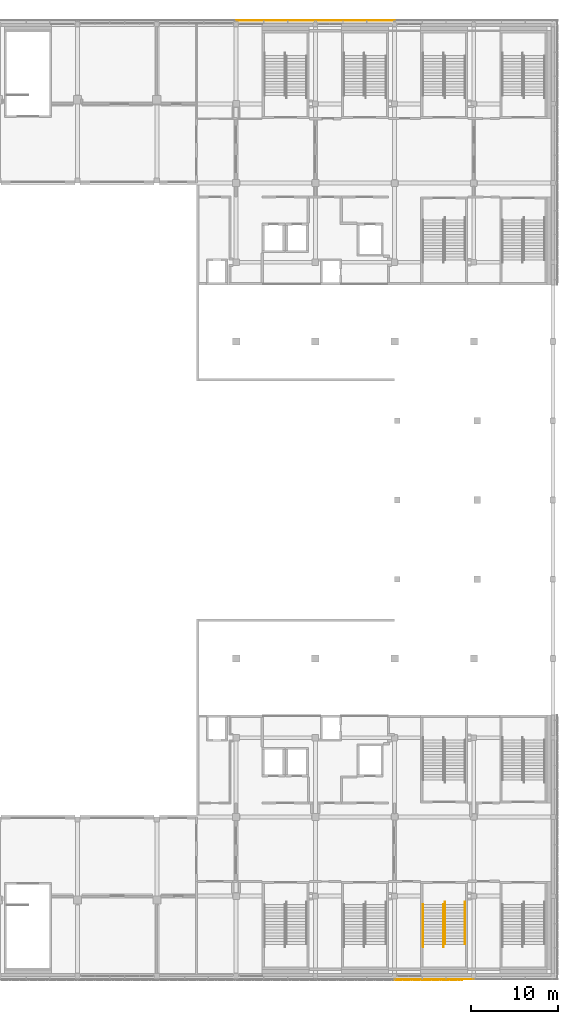
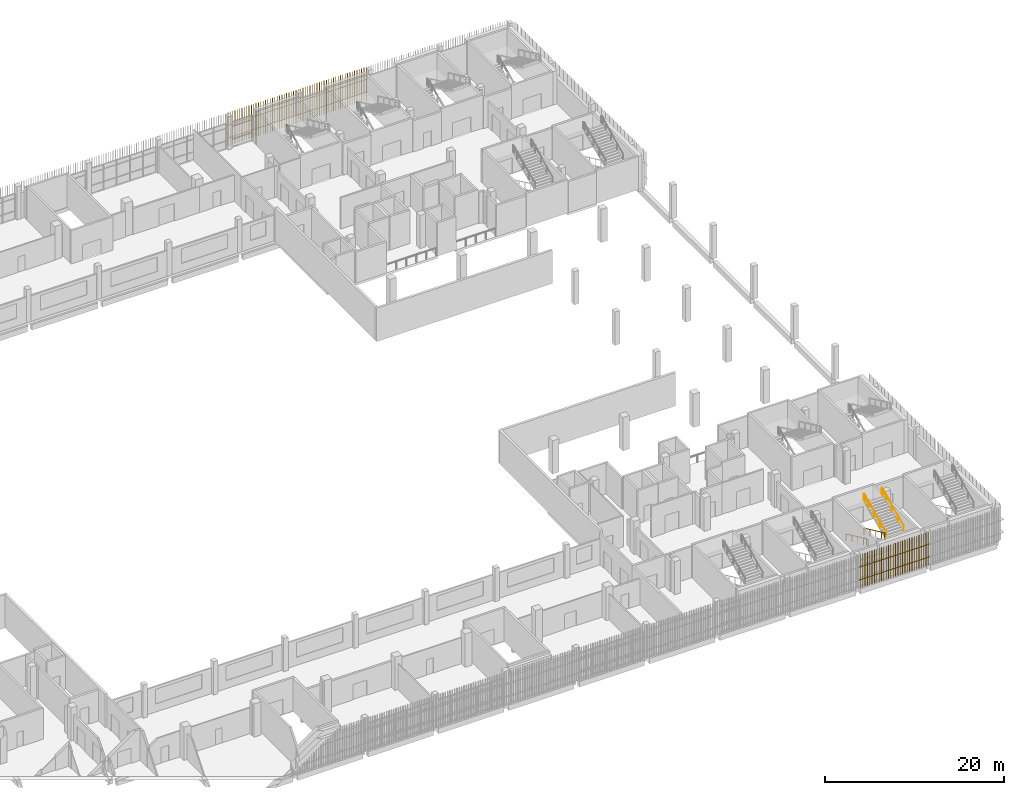
# One storey, part 99 of 104: 4 railings, 3 shading devices.
"""IFC4 building model written with IfcOpenShell, lengths in metres."""

from ifc_helpers import new_model, si_unit, direction, frame, origin, origin_2d, place, context, subcontext, project, spatial, rectangle, circle, extrude, material, type_object, element, save


model = new_model("IFC4")

# Units and contexts
model_context = context("Model", 3, precision=1e-05, world=origin(), true_north=direction((0.0, 1.0)))
body_context = subcontext(model_context, "Body", "Model", "MODEL_VIEW")
ifc_project = project(units=[si_unit("LENGTHUNIT", "METRE"), si_unit("AREAUNIT", "SQUARE_METRE"), si_unit("VOLUMEUNIT", "CUBIC_METRE"), si_unit("PLANEANGLEUNIT", "RADIAN"), si_unit("MASSUNIT", "GRAM", prefix="KILO")], contexts=[model_context])

# Site, building, storey
site_placement = place(None, origin())
site = spatial("IfcSite", under=ifc_project, at=site_placement, CompositionType="ELEMENT")
building_placement = place(site_placement, origin())
building = spatial("IfcBuilding", under=site, at=building_placement, Name="Shirokan Park Arena", CompositionType="ELEMENT")
storey_placement = place(building_placement, frame((0.0, 0.0, 10.919921875)))
storey = spatial("IfcBuildingStorey", under=building, at=storey_placement, Name="L02", CompositionType="ELEMENT", Elevation=10.919921875)

# Railings
ifc_material_1 = material(Name="Stainless steel", Category="steel")
railing_type = type_object("IfcRailingType", Name="Stair handrail 900", PredefinedType="HANDRAIL", material=ifc_material_1)
railing_1_placement = place(storey_placement, frame((130.68994140625, 8.14990234375, 0.15185546875)))
element("IfcRailing", 1, at=railing_1_placement, inside=storey, type_object=railing_type, Name="Handrail Exit Stair 2.B L02 to L03", PredefinedType="HANDRAIL", context=body_context, shape_type="SweptSolid", body=[
    extrude(circle(Radius=0.02392578125, at=origin_2d()), frame((0.0, 0.0, 0.8759765625), z_axis=(0.0, -0.907064445915, 0.420991794405), x_axis=(1.0, 0.0, 0.0)), (0.0, 0.0, 1.0), 1.4404296875),
    extrude(circle(Radius=0.02392578125, at=origin_2d()), frame((0.0, -1.306640625, 1.482421875), z_axis=(0.0, -0.907029769225, 0.421066500378), x_axis=(1.0, 0.0, 0.0)), (0.0, 0.0, 1.0), 1.44091796875),
    extrude(circle(Radius=0.02392578125, at=origin_2d()), frame((0.0, -2.613525390625, 2.0888671875), z_axis=(0.0, -0.907029769225, 0.421066500378), x_axis=(1.0, 0.0, 0.0)), (0.0, 0.0, 1.0), 1.44091796875),
    extrude(circle(Radius=0.02392578125, at=origin_2d()), frame((0.0, -3.92041015625, 2.69580078125), z_axis=(0.0, -0.906934982928, 0.421270621741), x_axis=(1.0, 0.0, 0.0)), (0.0, 0.0, 1.0), 0.720458984375),
    extrude(circle(Radius=0.02392578125, at=origin_2d()), frame((0.0, -4.57373046875, 2.9990234375), z_axis=(0.0, -1.0, 0.0), x_axis=(1.0, 0.0, 0.0)), (0.0, 0.0, 1.0), 0.300048828125),
    extrude(circle(Radius=0.02099609375, at=origin_2d()), origin(), (0.0, 0.0, 1.0), 0.851806640625),
    extrude(circle(Radius=0.02099609375, at=origin_2d()), frame((0.0, -1.306640625, 0.6064453125)), (0.0, 0.0, 1.0), 0.851806640625),
    extrude(circle(Radius=0.02099609375, at=origin_2d()), frame((0.0, -2.613525390625, 1.213134765625)), (0.0, 0.0, 1.0), 0.851806640625),
    extrude(circle(Radius=0.02099609375, at=origin_2d()), frame((0.0, -3.92041015625, 1.81982421875)), (0.0, 0.0, 1.0), 0.851806640625),
    extrude(circle(Radius=0.02099609375, at=origin_2d()), frame((0.0, -4.57373046875, 2.123291015625)), (0.0, 0.0, 1.0), 0.851806640625),
    extrude(circle(Radius=0.02099609375, at=origin_2d()), frame((0.0, -4.873779296875, 2.123291015625)), (0.0, 0.0, 1.0), 0.851806640625),
])
railing_2_placement = place(storey_placement, frame((133.010009765625, 8.14990234375, 0.15185546875)))
element("IfcRailing", 2, at=railing_2_placement, inside=storey, type_object=railing_type, Name="Handrail Exit Stair 2.B L02 to L03", PredefinedType="HANDRAIL", context=body_context, shape_type="SweptSolid", body=[
    extrude(circle(Radius=0.02392578125, at=origin_2d()), frame((0.0, 0.0, 0.8759765625), z_axis=(0.0, -0.907064445915, 0.420991794405), x_axis=(1.0, 0.0, 0.0)), (0.0, 0.0, 1.0), 1.4404296875),
    extrude(circle(Radius=0.02392578125, at=origin_2d()), frame((0.0, -1.306640625, 1.482421875), z_axis=(0.0, -0.907029769225, 0.421066500378), x_axis=(1.0, 0.0, 0.0)), (0.0, 0.0, 1.0), 1.44091796875),
    extrude(circle(Radius=0.02392578125, at=origin_2d()), frame((0.0, -2.613525390625, 2.0888671875), z_axis=(0.0, -0.907029769225, 0.421066500378), x_axis=(1.0, 0.0, 0.0)), (0.0, 0.0, 1.0), 1.44091796875),
    extrude(circle(Radius=0.02392578125, at=origin_2d()), frame((0.0, -3.92041015625, 2.69580078125), z_axis=(0.0, -0.906934982928, 0.421270621741), x_axis=(1.0, 0.0, 0.0)), (0.0, 0.0, 1.0), 0.720458984375),
    extrude(circle(Radius=0.02392578125, at=origin_2d()), frame((0.0, -4.57373046875, 2.9990234375), z_axis=(0.0, -1.0, 0.0), x_axis=(1.0, 0.0, 0.0)), (0.0, 0.0, 1.0), 0.300048828125),
    extrude(circle(Radius=0.02099609375, at=origin_2d()), origin(), (0.0, 0.0, 1.0), 0.851806640625),
    extrude(circle(Radius=0.02099609375, at=origin_2d()), frame((0.0, -1.306640625, 0.6064453125)), (0.0, 0.0, 1.0), 0.851806640625),
    extrude(circle(Radius=0.02099609375, at=origin_2d()), frame((0.0, -2.613525390625, 1.213134765625)), (0.0, 0.0, 1.0), 0.851806640625),
    extrude(circle(Radius=0.02099609375, at=origin_2d()), frame((0.0, -3.92041015625, 1.81982421875)), (0.0, 0.0, 1.0), 0.851806640625),
    extrude(circle(Radius=0.02099609375, at=origin_2d()), frame((0.0, -4.57373046875, 2.123291015625)), (0.0, 0.0, 1.0), 0.851806640625),
    extrude(circle(Radius=0.02099609375, at=origin_2d()), frame((0.0, -4.873779296875, 2.123291015625)), (0.0, 0.0, 1.0), 0.851806640625),
])
railing_3_placement = place(storey_placement, frame((133.18994140625, 3.576171875, 2.4267578125)))
element("IfcRailing", 3, at=railing_3_placement, inside=storey, type_object=railing_type, Name="Handrail Exit Stair 2.B L02 to L03", PredefinedType="HANDRAIL", context=body_context, shape_type="SweptSolid", body=[
    extrude(circle(Radius=0.02392578125, at=origin_2d()), frame((0.0, 0.0, 0.8759765625), z_axis=(0.0, 0.907029769225, 0.421066500378), x_axis=(-1.0, 0.0, 0.0)), (0.0, 0.0, 1.0), 1.44091796875),
    extrude(circle(Radius=0.02392578125, at=origin_2d()), frame((0.0, 1.306884765625, 1.482421875), z_axis=(0.0, 0.906999720516, 0.421131222998), x_axis=(-1.0, 0.0, 0.0)), (0.0, 0.0, 1.0), 1.440673828125),
    extrude(circle(Radius=0.02392578125, at=origin_2d()), frame((0.0, 2.613525390625, 2.08935546875), z_axis=(0.0, 0.907029769225, 0.421066500378), x_axis=(-1.0, 0.0, 0.0)), (0.0, 0.0, 1.0), 1.44091796875),
    extrude(circle(Radius=0.02392578125, at=origin_2d()), frame((0.0, 3.92041015625, 2.69580078125), z_axis=(0.0, 0.907064445915, 0.420991794405), x_axis=(-1.0, 0.0, 0.0)), (0.0, 0.0, 1.0), 0.72021484375),
    extrude(circle(Radius=0.02392578125, at=origin_2d()), frame((0.0, 4.57373046875, 2.9990234375), z_axis=(0.0, 1.0, 0.0), x_axis=(-1.0, 0.0, 0.0)), (0.0, 0.0, 1.0), 0.300048828125),
    extrude(circle(Radius=0.02099609375, at=origin_2d()), origin(), (0.0, 0.0, 1.0), 0.851806640625),
    extrude(circle(Radius=0.02099609375, at=origin_2d()), frame((0.0, 1.306884765625, 0.606689453125)), (0.0, 0.0, 1.0), 0.851806640625),
    extrude(circle(Radius=0.02099609375, at=origin_2d()), frame((0.0, 2.613525390625, 1.21337890625)), (0.0, 0.0, 1.0), 0.851806640625),
    extrude(circle(Radius=0.02099609375, at=origin_2d()), frame((0.0, 3.92041015625, 1.820068359375)), (0.0, 0.0, 1.0), 0.851806640625),
    extrude(circle(Radius=0.02099609375, at=origin_2d()), frame((0.0, 4.57373046875, 2.123291015625)), (0.0, 0.0, 1.0), 0.851806640625),
    extrude(circle(Radius=0.02099609375, at=origin_2d()), frame((0.0, 4.873779296875, 2.123291015625)), (0.0, 0.0, 1.0), 0.851806640625),
])
railing_4_placement = place(storey_placement, frame((135.510009765625, 3.576171875, 2.4267578125)))
element("IfcRailing", 4, at=railing_4_placement, inside=storey, type_object=railing_type, Name="Handrail Exit Stair 2.B L02 to L03", PredefinedType="HANDRAIL", context=body_context, shape_type="SweptSolid", body=[
    extrude(circle(Radius=0.02392578125, at=origin_2d()), frame((0.0, 0.0, 0.8759765625), z_axis=(0.0, 0.907029769225, 0.421066500378), x_axis=(-1.0, 0.0, 0.0)), (0.0, 0.0, 1.0), 1.44091796875),
    extrude(circle(Radius=0.02392578125, at=origin_2d()), frame((0.0, 1.306884765625, 1.482421875), z_axis=(0.0, 0.906999720516, 0.421131222998), x_axis=(-1.0, 0.0, 0.0)), (0.0, 0.0, 1.0), 1.440673828125),
    extrude(circle(Radius=0.02392578125, at=origin_2d()), frame((0.0, 2.613525390625, 2.08935546875), z_axis=(0.0, 0.907029769225, 0.421066500378), x_axis=(-1.0, 0.0, 0.0)), (0.0, 0.0, 1.0), 1.44091796875),
    extrude(circle(Radius=0.02392578125, at=origin_2d()), frame((0.0, 3.92041015625, 2.69580078125), z_axis=(0.0, 0.907064445915, 0.420991794405), x_axis=(-1.0, 0.0, 0.0)), (0.0, 0.0, 1.0), 0.72021484375),
    extrude(circle(Radius=0.02392578125, at=origin_2d()), frame((0.0, 4.57373046875, 2.9990234375), z_axis=(0.0, 1.0, 0.0), x_axis=(-1.0, 0.0, 0.0)), (0.0, 0.0, 1.0), 0.300048828125),
    extrude(circle(Radius=0.02099609375, at=origin_2d()), origin(), (0.0, 0.0, 1.0), 0.851806640625),
    extrude(circle(Radius=0.02099609375, at=origin_2d()), frame((0.0, 1.306884765625, 0.606689453125)), (0.0, 0.0, 1.0), 0.851806640625),
    extrude(circle(Radius=0.02099609375, at=origin_2d()), frame((0.0, 2.613525390625, 1.21337890625)), (0.0, 0.0, 1.0), 0.851806640625),
    extrude(circle(Radius=0.02099609375, at=origin_2d()), frame((0.0, 3.92041015625, 1.820068359375)), (0.0, 0.0, 1.0), 0.851806640625),
    extrude(circle(Radius=0.02099609375, at=origin_2d()), frame((0.0, 4.57373046875, 2.123291015625)), (0.0, 0.0, 1.0), 0.851806640625),
    extrude(circle(Radius=0.02099609375, at=origin_2d()), frame((0.0, 4.873779296875, 2.123291015625)), (0.0, 0.0, 1.0), 0.851806640625),
])

# Shading devices
ifc_material_2 = material(Name="Timber louvre veil (cedar)", Category="wood")
shading_device_type = type_object("IfcShadingDeviceType", Name="Timber louvre veil panel", PredefinedType="JALOUSIE", material=ifc_material_2)
shading_device_1_placement = place(storey_placement, origin())
element("IfcShadingDevice", 5, at=shading_device_1_placement, inside=storey, type_object=shading_device_type, Name="Timber louvre veil south bay 15 L02", PredefinedType="JALOUSIE", context=body_context, shape_type="SweptSolid", body=[
    extrude(rectangle(XDim=0.050048828125, YDim=0.080078125, at=origin_2d()), frame((127.5517578125, -0.485107421875, 0.0), z_axis=(0.0, 0.0, 1.0), x_axis=(1.0, 0.0, 0.0)), (0.0, 0.0, 1.0), 4.550048828125),
    extrude(rectangle(XDim=0.050048828125, YDim=0.080078125, at=origin_2d()), frame((127.85498046875, -0.485107421875, 0.0), z_axis=(0.0, 0.0, 1.0), x_axis=(1.0, 0.0, 0.0)), (0.0, 0.0, 1.0), 4.550048828125),
    extrude(rectangle(XDim=0.050048828125, YDim=0.080078125, at=origin_2d()), frame((128.158447265625, -0.485107421875, 0.0), z_axis=(0.0, 0.0, 1.0), x_axis=(1.0, 0.0, 0.0)), (0.0, 0.0, 1.0), 4.550048828125),
    extrude(rectangle(XDim=0.050048828125, YDim=0.080078125, at=origin_2d()), frame((128.461669921875, -0.485107421875, 0.0), z_axis=(0.0, 0.0, 1.0), x_axis=(1.0, 0.0, 0.0)), (0.0, 0.0, 1.0), 4.550048828125),
    extrude(rectangle(XDim=0.050048828125, YDim=0.080078125, at=origin_2d()), frame((128.764892578125, -0.485107421875, 0.0), z_axis=(0.0, 0.0, 1.0), x_axis=(1.0, 0.0, 0.0)), (0.0, 0.0, 1.0), 4.550048828125),
    extrude(rectangle(XDim=0.050048828125, YDim=0.080078125, at=origin_2d()), frame((129.068359375, -0.485107421875, 0.0), z_axis=(0.0, 0.0, 1.0), x_axis=(1.0, 0.0, 0.0)), (0.0, 0.0, 1.0), 4.550048828125),
    extrude(rectangle(XDim=0.050048828125, YDim=0.080078125, at=origin_2d()), frame((129.37158203125, -0.485107421875, 0.0), z_axis=(0.0, 0.0, 1.0), x_axis=(1.0, 0.0, 0.0)), (0.0, 0.0, 1.0), 4.550048828125),
    extrude(rectangle(XDim=0.050048828125, YDim=0.080078125, at=origin_2d()), frame((129.675048828125, -0.485107421875, 0.0), z_axis=(0.0, 0.0, 1.0), x_axis=(1.0, 0.0, 0.0)), (0.0, 0.0, 1.0), 4.550048828125),
    extrude(rectangle(XDim=0.050048828125, YDim=0.080078125, at=origin_2d()), frame((129.978271484375, -0.485107421875, 0.0), z_axis=(0.0, 0.0, 1.0), x_axis=(1.0, 0.0, 0.0)), (0.0, 0.0, 1.0), 4.550048828125),
    extrude(rectangle(XDim=0.050048828125, YDim=0.080078125, at=origin_2d()), frame((130.28173828125, -0.485107421875, 0.0), z_axis=(0.0, 0.0, 1.0), x_axis=(1.0, 0.0, 0.0)), (0.0, 0.0, 1.0), 4.550048828125),
    extrude(rectangle(XDim=0.050048828125, YDim=0.080078125, at=origin_2d()), frame((130.5849609375, -0.485107421875, 0.0), z_axis=(0.0, 0.0, 1.0), x_axis=(1.0, 0.0, 0.0)), (0.0, 0.0, 1.0), 4.550048828125),
    extrude(rectangle(XDim=0.050048828125, YDim=0.080078125, at=origin_2d()), frame((130.888427734375, -0.485107421875, 0.0), z_axis=(0.0, 0.0, 1.0), x_axis=(1.0, 0.0, 0.0)), (0.0, 0.0, 1.0), 4.550048828125),
    extrude(rectangle(XDim=0.050048828125, YDim=0.080078125, at=origin_2d()), frame((131.191650390625, -0.485107421875, 0.0), z_axis=(0.0, 0.0, 1.0), x_axis=(1.0, 0.0, 0.0)), (0.0, 0.0, 1.0), 4.550048828125),
    extrude(rectangle(XDim=0.050048828125, YDim=0.080078125, at=origin_2d()), frame((131.4951171875, -0.485107421875, 0.0), z_axis=(0.0, 0.0, 1.0), x_axis=(1.0, 0.0, 0.0)), (0.0, 0.0, 1.0), 4.550048828125),
    extrude(rectangle(XDim=0.050048828125, YDim=0.080078125, at=origin_2d()), frame((131.79833984375, -0.485107421875, 0.0), z_axis=(0.0, 0.0, 1.0), x_axis=(1.0, 0.0, 0.0)), (0.0, 0.0, 1.0), 4.550048828125),
    extrude(rectangle(XDim=0.050048828125, YDim=0.080078125, at=origin_2d()), frame((132.1015625, -0.485107421875, 0.0), z_axis=(0.0, 0.0, 1.0), x_axis=(1.0, 0.0, 0.0)), (0.0, 0.0, 1.0), 4.550048828125),
    extrude(rectangle(XDim=0.050048828125, YDim=0.080078125, at=origin_2d()), frame((132.405029296875, -0.485107421875, 0.0), z_axis=(0.0, 0.0, 1.0), x_axis=(1.0, 0.0, 0.0)), (0.0, 0.0, 1.0), 4.550048828125),
    extrude(rectangle(XDim=0.050048828125, YDim=0.080078125, at=origin_2d()), frame((132.708251953125, -0.485107421875, 0.0), z_axis=(0.0, 0.0, 1.0), x_axis=(1.0, 0.0, 0.0)), (0.0, 0.0, 1.0), 4.550048828125),
    extrude(rectangle(XDim=0.050048828125, YDim=0.080078125, at=origin_2d()), frame((133.01171875, -0.485107421875, 0.0), z_axis=(0.0, 0.0, 1.0), x_axis=(1.0, 0.0, 0.0)), (0.0, 0.0, 1.0), 4.550048828125),
    extrude(rectangle(XDim=0.050048828125, YDim=0.080078125, at=origin_2d()), frame((133.31494140625, -0.485107421875, 0.0), z_axis=(0.0, 0.0, 1.0), x_axis=(1.0, 0.0, 0.0)), (0.0, 0.0, 1.0), 4.550048828125),
    extrude(rectangle(XDim=0.050048828125, YDim=0.080078125, at=origin_2d()), frame((133.618408203125, -0.485107421875, 0.0), z_axis=(0.0, 0.0, 1.0), x_axis=(1.0, 0.0, 0.0)), (0.0, 0.0, 1.0), 4.550048828125),
    extrude(rectangle(XDim=0.050048828125, YDim=0.080078125, at=origin_2d()), frame((133.921630859375, -0.485107421875, 0.0), z_axis=(0.0, 0.0, 1.0), x_axis=(1.0, 0.0, 0.0)), (0.0, 0.0, 1.0), 4.550048828125),
    extrude(rectangle(XDim=0.050048828125, YDim=0.080078125, at=origin_2d()), frame((134.22509765625, -0.485107421875, 0.0), z_axis=(0.0, 0.0, 1.0), x_axis=(1.0, 0.0, 0.0)), (0.0, 0.0, 1.0), 4.550048828125),
    extrude(rectangle(XDim=0.050048828125, YDim=0.080078125, at=origin_2d()), frame((134.5283203125, -0.485107421875, 0.0), z_axis=(0.0, 0.0, 1.0), x_axis=(1.0, 0.0, 0.0)), (0.0, 0.0, 1.0), 4.550048828125),
    extrude(rectangle(XDim=0.050048828125, YDim=0.080078125, at=origin_2d()), frame((134.831787109375, -0.485107421875, 0.0), z_axis=(0.0, 0.0, 1.0), x_axis=(1.0, 0.0, 0.0)), (0.0, 0.0, 1.0), 4.550048828125),
    extrude(rectangle(XDim=0.050048828125, YDim=0.080078125, at=origin_2d()), frame((135.135009765625, -0.485107421875, 0.0), z_axis=(0.0, 0.0, 1.0), x_axis=(1.0, 0.0, 0.0)), (0.0, 0.0, 1.0), 4.550048828125),
    extrude(rectangle(XDim=0.050048828125, YDim=0.080078125, at=origin_2d()), frame((135.438232421875, -0.485107421875, 0.0), z_axis=(0.0, 0.0, 1.0), x_axis=(1.0, 0.0, 0.0)), (0.0, 0.0, 1.0), 4.550048828125),
    extrude(rectangle(XDim=0.050048828125, YDim=0.080078125, at=origin_2d()), frame((135.74169921875, -0.485107421875, 0.0), z_axis=(0.0, 0.0, 1.0), x_axis=(1.0, 0.0, 0.0)), (0.0, 0.0, 1.0), 4.550048828125),
    extrude(rectangle(XDim=0.050048828125, YDim=0.080078125, at=origin_2d()), frame((136.044921875, -0.485107421875, 0.0), z_axis=(0.0, 0.0, 1.0), x_axis=(1.0, 0.0, 0.0)), (0.0, 0.0, 1.0), 4.550048828125),
    extrude(rectangle(XDim=0.050048828125, YDim=0.080078125, at=origin_2d()), frame((136.348388671875, -0.485107421875, 0.0), z_axis=(0.0, 0.0, 1.0), x_axis=(1.0, 0.0, 0.0)), (0.0, 0.0, 1.0), 4.550048828125),
    extrude(rectangle(XDim=9.10009765625, YDim=0.050048828125, at=origin_2d()), frame((131.949951171875, -0.469970703125, 1.06005859375), z_axis=(0.0, 0.0, 1.0), x_axis=(1.0, 0.0, 0.0)), (0.0, 0.0, 1.0), 0.080078125),
    extrude(rectangle(XDim=9.10009765625, YDim=0.050048828125, at=origin_2d()), frame((131.949951171875, -0.469970703125, 2.81005859375), z_axis=(0.0, 0.0, 1.0), x_axis=(1.0, 0.0, 0.0)), (0.0, 0.0, 1.0), 0.080078125),
])
shading_device_2_placement = place(storey_placement, origin())
element("IfcShadingDevice", 6, at=shading_device_2_placement, inside=storey, type_object=shading_device_type, Name="Timber louvre veil north bay 3 L02", PredefinedType="JALOUSIE", context=body_context, shape_type="SweptSolid", body=[
    extrude(rectangle(XDim=0.050048828125, YDim=0.080078125, at=origin_2d()), frame((127.248291015625, 109.68505859375, 0.0), z_axis=(0.0, 0.0, 1.0), x_axis=(-1.0, 0.0, 0.0)), (0.0, 0.0, 1.0), 4.550048828125),
    extrude(rectangle(XDim=0.050048828125, YDim=0.080078125, at=origin_2d()), frame((126.945068359375, 109.68505859375, 0.0), z_axis=(0.0, 0.0, 1.0), x_axis=(-1.0, 0.0, 0.0)), (0.0, 0.0, 1.0), 4.550048828125),
    extrude(rectangle(XDim=0.050048828125, YDim=0.080078125, at=origin_2d()), frame((126.6416015625, 109.68505859375, 0.0), z_axis=(0.0, 0.0, 1.0), x_axis=(-1.0, 0.0, 0.0)), (0.0, 0.0, 1.0), 4.550048828125),
    extrude(rectangle(XDim=0.050048828125, YDim=0.080078125, at=origin_2d()), frame((126.33837890625, 109.68505859375, 0.0), z_axis=(0.0, 0.0, 1.0), x_axis=(-1.0, 0.0, 0.0)), (0.0, 0.0, 1.0), 4.550048828125),
    extrude(rectangle(XDim=0.050048828125, YDim=0.080078125, at=origin_2d()), frame((126.034912109375, 109.68505859375, 0.0), z_axis=(0.0, 0.0, 1.0), x_axis=(-1.0, 0.0, 0.0)), (0.0, 0.0, 1.0), 4.550048828125),
    extrude(rectangle(XDim=0.050048828125, YDim=0.080078125, at=origin_2d()), frame((125.731689453125, 109.68505859375, 0.0), z_axis=(0.0, 0.0, 1.0), x_axis=(-1.0, 0.0, 0.0)), (0.0, 0.0, 1.0), 4.550048828125),
    extrude(rectangle(XDim=0.050048828125, YDim=0.080078125, at=origin_2d()), frame((125.42822265625, 109.68505859375, 0.0), z_axis=(0.0, 0.0, 1.0), x_axis=(-1.0, 0.0, 0.0)), (0.0, 0.0, 1.0), 4.550048828125),
    extrude(rectangle(XDim=0.050048828125, YDim=0.080078125, at=origin_2d()), frame((125.125, 109.68505859375, 0.0), z_axis=(0.0, 0.0, 1.0), x_axis=(-1.0, 0.0, 0.0)), (0.0, 0.0, 1.0), 4.550048828125),
    extrude(rectangle(XDim=0.050048828125, YDim=0.080078125, at=origin_2d()), frame((124.82177734375, 109.68505859375, 0.0), z_axis=(0.0, 0.0, 1.0), x_axis=(-1.0, 0.0, 0.0)), (0.0, 0.0, 1.0), 4.550048828125),
    extrude(rectangle(XDim=0.050048828125, YDim=0.080078125, at=origin_2d()), frame((124.518310546875, 109.68505859375, 0.0), z_axis=(0.0, 0.0, 1.0), x_axis=(-1.0, 0.0, 0.0)), (0.0, 0.0, 1.0), 4.550048828125),
    extrude(rectangle(XDim=0.050048828125, YDim=0.080078125, at=origin_2d()), frame((124.215087890625, 109.68505859375, 0.0), z_axis=(0.0, 0.0, 1.0), x_axis=(-1.0, 0.0, 0.0)), (0.0, 0.0, 1.0), 4.550048828125),
    extrude(rectangle(XDim=0.050048828125, YDim=0.080078125, at=origin_2d()), frame((123.91162109375, 109.68505859375, 0.0), z_axis=(0.0, 0.0, 1.0), x_axis=(-1.0, 0.0, 0.0)), (0.0, 0.0, 1.0), 4.550048828125),
    extrude(rectangle(XDim=0.050048828125, YDim=0.080078125, at=origin_2d()), frame((123.6083984375, 109.68505859375, 0.0), z_axis=(0.0, 0.0, 1.0), x_axis=(-1.0, 0.0, 0.0)), (0.0, 0.0, 1.0), 4.550048828125),
    extrude(rectangle(XDim=0.050048828125, YDim=0.080078125, at=origin_2d()), frame((123.304931640625, 109.68505859375, 0.0), z_axis=(0.0, 0.0, 1.0), x_axis=(-1.0, 0.0, 0.0)), (0.0, 0.0, 1.0), 4.550048828125),
    extrude(rectangle(XDim=0.050048828125, YDim=0.080078125, at=origin_2d()), frame((123.001708984375, 109.68505859375, 0.0), z_axis=(0.0, 0.0, 1.0), x_axis=(-1.0, 0.0, 0.0)), (0.0, 0.0, 1.0), 4.550048828125),
    extrude(rectangle(XDim=0.050048828125, YDim=0.080078125, at=origin_2d()), frame((122.6982421875, 109.68505859375, 0.0), z_axis=(0.0, 0.0, 1.0), x_axis=(-1.0, 0.0, 0.0)), (0.0, 0.0, 1.0), 4.550048828125),
    extrude(rectangle(XDim=0.050048828125, YDim=0.080078125, at=origin_2d()), frame((122.39501953125, 109.68505859375, 0.0), z_axis=(0.0, 0.0, 1.0), x_axis=(-1.0, 0.0, 0.0)), (0.0, 0.0, 1.0), 4.550048828125),
    extrude(rectangle(XDim=0.050048828125, YDim=0.080078125, at=origin_2d()), frame((122.091552734375, 109.68505859375, 0.0), z_axis=(0.0, 0.0, 1.0), x_axis=(-1.0, 0.0, 0.0)), (0.0, 0.0, 1.0), 4.550048828125),
    extrude(rectangle(XDim=0.050048828125, YDim=0.080078125, at=origin_2d()), frame((121.788330078125, 109.68505859375, 0.0), z_axis=(0.0, 0.0, 1.0), x_axis=(-1.0, 0.0, 0.0)), (0.0, 0.0, 1.0), 4.550048828125),
    extrude(rectangle(XDim=0.050048828125, YDim=0.080078125, at=origin_2d()), frame((121.485107421875, 109.68505859375, 0.0), z_axis=(0.0, 0.0, 1.0), x_axis=(-1.0, 0.0, 0.0)), (0.0, 0.0, 1.0), 4.550048828125),
    extrude(rectangle(XDim=0.050048828125, YDim=0.080078125, at=origin_2d()), frame((121.181640625, 109.68505859375, 0.0), z_axis=(0.0, 0.0, 1.0), x_axis=(-1.0, 0.0, 0.0)), (0.0, 0.0, 1.0), 4.550048828125),
    extrude(rectangle(XDim=0.050048828125, YDim=0.080078125, at=origin_2d()), frame((120.87841796875, 109.68505859375, 0.0), z_axis=(0.0, 0.0, 1.0), x_axis=(-1.0, 0.0, 0.0)), (0.0, 0.0, 1.0), 4.550048828125),
    extrude(rectangle(XDim=0.050048828125, YDim=0.080078125, at=origin_2d()), frame((120.574951171875, 109.68505859375, 0.0), z_axis=(0.0, 0.0, 1.0), x_axis=(-1.0, 0.0, 0.0)), (0.0, 0.0, 1.0), 4.550048828125),
    extrude(rectangle(XDim=0.050048828125, YDim=0.080078125, at=origin_2d()), frame((120.271728515625, 109.68505859375, 0.0), z_axis=(0.0, 0.0, 1.0), x_axis=(-1.0, 0.0, 0.0)), (0.0, 0.0, 1.0), 4.550048828125),
    extrude(rectangle(XDim=0.050048828125, YDim=0.080078125, at=origin_2d()), frame((119.96826171875, 109.68505859375, 0.0), z_axis=(0.0, 0.0, 1.0), x_axis=(-1.0, 0.0, 0.0)), (0.0, 0.0, 1.0), 4.550048828125),
    extrude(rectangle(XDim=0.050048828125, YDim=0.080078125, at=origin_2d()), frame((119.6650390625, 109.68505859375, 0.0), z_axis=(0.0, 0.0, 1.0), x_axis=(-1.0, 0.0, 0.0)), (0.0, 0.0, 1.0), 4.550048828125),
    extrude(rectangle(XDim=0.050048828125, YDim=0.080078125, at=origin_2d()), frame((119.361572265625, 109.68505859375, 0.0), z_axis=(0.0, 0.0, 1.0), x_axis=(-1.0, 0.0, 0.0)), (0.0, 0.0, 1.0), 4.550048828125),
    extrude(rectangle(XDim=0.050048828125, YDim=0.080078125, at=origin_2d()), frame((119.058349609375, 109.68505859375, 0.0), z_axis=(0.0, 0.0, 1.0), x_axis=(-1.0, 0.0, 0.0)), (0.0, 0.0, 1.0), 4.550048828125),
    extrude(rectangle(XDim=0.050048828125, YDim=0.080078125, at=origin_2d()), frame((118.7548828125, 109.68505859375, 0.0), z_axis=(0.0, 0.0, 1.0), x_axis=(-1.0, 0.0, 0.0)), (0.0, 0.0, 1.0), 4.550048828125),
    extrude(rectangle(XDim=0.050048828125, YDim=0.080078125, at=origin_2d()), frame((118.45166015625, 109.68505859375, 0.0), z_axis=(0.0, 0.0, 1.0), x_axis=(-1.0, 0.0, 0.0)), (0.0, 0.0, 1.0), 4.550048828125),
    extrude(rectangle(XDim=9.10009765625, YDim=0.050048828125, at=origin_2d()), frame((122.85009765625, 109.669921875, 1.06005859375), z_axis=(0.0, 0.0, 1.0), x_axis=(-1.0, 0.0, 0.0)), (0.0, 0.0, 1.0), 0.080078125),
    extrude(rectangle(XDim=9.10009765625, YDim=0.050048828125, at=origin_2d()), frame((122.85009765625, 109.669921875, 2.81005859375), z_axis=(0.0, 0.0, 1.0), x_axis=(-1.0, 0.0, 0.0)), (0.0, 0.0, 1.0), 0.080078125),
])
shading_device_3_placement = place(storey_placement, origin())
element("IfcShadingDevice", 7, at=shading_device_3_placement, inside=storey, type_object=shading_device_type, Name="Timber louvre veil north bay 4 L02", PredefinedType="JALOUSIE", context=body_context, shape_type="SweptSolid", body=[
    extrude(rectangle(XDim=0.050048828125, YDim=0.080078125, at=origin_2d()), frame((118.1484375, 109.68505859375, 0.0), z_axis=(0.0, 0.0, 1.0), x_axis=(-1.0, 0.0, 0.0)), (0.0, 0.0, 1.0), 4.550048828125),
    extrude(rectangle(XDim=0.050048828125, YDim=0.080078125, at=origin_2d()), frame((117.844970703125, 109.68505859375, 0.0), z_axis=(0.0, 0.0, 1.0), x_axis=(-1.0, 0.0, 0.0)), (0.0, 0.0, 1.0), 4.550048828125),
    extrude(rectangle(XDim=0.050048828125, YDim=0.080078125, at=origin_2d()), frame((117.541748046875, 109.68505859375, 0.0), z_axis=(0.0, 0.0, 1.0), x_axis=(-1.0, 0.0, 0.0)), (0.0, 0.0, 1.0), 4.550048828125),
    extrude(rectangle(XDim=0.050048828125, YDim=0.080078125, at=origin_2d()), frame((117.23828125, 109.68505859375, 0.0), z_axis=(0.0, 0.0, 1.0), x_axis=(-1.0, 0.0, 0.0)), (0.0, 0.0, 1.0), 4.550048828125),
    extrude(rectangle(XDim=0.050048828125, YDim=0.080078125, at=origin_2d()), frame((116.93505859375, 109.68505859375, 0.0), z_axis=(0.0, 0.0, 1.0), x_axis=(-1.0, 0.0, 0.0)), (0.0, 0.0, 1.0), 4.550048828125),
    extrude(rectangle(XDim=0.050048828125, YDim=0.080078125, at=origin_2d()), frame((116.631591796875, 109.68505859375, 0.0), z_axis=(0.0, 0.0, 1.0), x_axis=(-1.0, 0.0, 0.0)), (0.0, 0.0, 1.0), 4.550048828125),
    extrude(rectangle(XDim=0.050048828125, YDim=0.080078125, at=origin_2d()), frame((116.328369140625, 109.68505859375, 0.0), z_axis=(0.0, 0.0, 1.0), x_axis=(-1.0, 0.0, 0.0)), (0.0, 0.0, 1.0), 4.550048828125),
    extrude(rectangle(XDim=0.050048828125, YDim=0.080078125, at=origin_2d()), frame((116.02490234375, 109.68505859375, 0.0), z_axis=(0.0, 0.0, 1.0), x_axis=(-1.0, 0.0, 0.0)), (0.0, 0.0, 1.0), 4.550048828125),
    extrude(rectangle(XDim=0.050048828125, YDim=0.080078125, at=origin_2d()), frame((115.7216796875, 109.68505859375, 0.0), z_axis=(0.0, 0.0, 1.0), x_axis=(-1.0, 0.0, 0.0)), (0.0, 0.0, 1.0), 4.550048828125),
    extrude(rectangle(XDim=0.050048828125, YDim=0.080078125, at=origin_2d()), frame((115.418212890625, 109.68505859375, 0.0), z_axis=(0.0, 0.0, 1.0), x_axis=(-1.0, 0.0, 0.0)), (0.0, 0.0, 1.0), 4.550048828125),
    extrude(rectangle(XDim=0.050048828125, YDim=0.080078125, at=origin_2d()), frame((115.114990234375, 109.68505859375, 0.0), z_axis=(0.0, 0.0, 1.0), x_axis=(-1.0, 0.0, 0.0)), (0.0, 0.0, 1.0), 4.550048828125),
    extrude(rectangle(XDim=0.050048828125, YDim=0.080078125, at=origin_2d()), frame((114.811767578125, 109.68505859375, 0.0), z_axis=(0.0, 0.0, 1.0), x_axis=(-1.0, 0.0, 0.0)), (0.0, 0.0, 1.0), 4.550048828125),
    extrude(rectangle(XDim=0.050048828125, YDim=0.080078125, at=origin_2d()), frame((114.50830078125, 109.68505859375, 0.0), z_axis=(0.0, 0.0, 1.0), x_axis=(-1.0, 0.0, 0.0)), (0.0, 0.0, 1.0), 4.550048828125),
    extrude(rectangle(XDim=0.050048828125, YDim=0.080078125, at=origin_2d()), frame((114.205078125, 109.68505859375, 0.0), z_axis=(0.0, 0.0, 1.0), x_axis=(-1.0, 0.0, 0.0)), (0.0, 0.0, 1.0), 4.550048828125),
    extrude(rectangle(XDim=0.050048828125, YDim=0.080078125, at=origin_2d()), frame((113.901611328125, 109.68505859375, 0.0), z_axis=(0.0, 0.0, 1.0), x_axis=(-1.0, 0.0, 0.0)), (0.0, 0.0, 1.0), 4.550048828125),
    extrude(rectangle(XDim=0.050048828125, YDim=0.080078125, at=origin_2d()), frame((113.598388671875, 109.68505859375, 0.0), z_axis=(0.0, 0.0, 1.0), x_axis=(-1.0, 0.0, 0.0)), (0.0, 0.0, 1.0), 4.550048828125),
    extrude(rectangle(XDim=0.050048828125, YDim=0.080078125, at=origin_2d()), frame((113.294921875, 109.68505859375, 0.0), z_axis=(0.0, 0.0, 1.0), x_axis=(-1.0, 0.0, 0.0)), (0.0, 0.0, 1.0), 4.550048828125),
    extrude(rectangle(XDim=0.050048828125, YDim=0.080078125, at=origin_2d()), frame((112.99169921875, 109.68505859375, 0.0), z_axis=(0.0, 0.0, 1.0), x_axis=(-1.0, 0.0, 0.0)), (0.0, 0.0, 1.0), 4.550048828125),
    extrude(rectangle(XDim=0.050048828125, YDim=0.080078125, at=origin_2d()), frame((112.688232421875, 109.68505859375, 0.0), z_axis=(0.0, 0.0, 1.0), x_axis=(-1.0, 0.0, 0.0)), (0.0, 0.0, 1.0), 4.550048828125),
    extrude(rectangle(XDim=0.050048828125, YDim=0.080078125, at=origin_2d()), frame((112.385009765625, 109.68505859375, 0.0), z_axis=(0.0, 0.0, 1.0), x_axis=(-1.0, 0.0, 0.0)), (0.0, 0.0, 1.0), 4.550048828125),
    extrude(rectangle(XDim=0.050048828125, YDim=0.080078125, at=origin_2d()), frame((112.081787109375, 109.68505859375, 0.0), z_axis=(0.0, 0.0, 1.0), x_axis=(-1.0, 0.0, 0.0)), (0.0, 0.0, 1.0), 4.550048828125),
    extrude(rectangle(XDim=0.050048828125, YDim=0.080078125, at=origin_2d()), frame((111.7783203125, 109.68505859375, 0.0), z_axis=(0.0, 0.0, 1.0), x_axis=(-1.0, 0.0, 0.0)), (0.0, 0.0, 1.0), 4.550048828125),
    extrude(rectangle(XDim=0.050048828125, YDim=0.080078125, at=origin_2d()), frame((111.47509765625, 109.68505859375, 0.0), z_axis=(0.0, 0.0, 1.0), x_axis=(-1.0, 0.0, 0.0)), (0.0, 0.0, 1.0), 4.550048828125),
    extrude(rectangle(XDim=0.050048828125, YDim=0.080078125, at=origin_2d()), frame((111.171630859375, 109.68505859375, 0.0), z_axis=(0.0, 0.0, 1.0), x_axis=(-1.0, 0.0, 0.0)), (0.0, 0.0, 1.0), 4.550048828125),
    extrude(rectangle(XDim=0.050048828125, YDim=0.080078125, at=origin_2d()), frame((110.868408203125, 109.68505859375, 0.0), z_axis=(0.0, 0.0, 1.0), x_axis=(-1.0, 0.0, 0.0)), (0.0, 0.0, 1.0), 4.550048828125),
    extrude(rectangle(XDim=0.050048828125, YDim=0.080078125, at=origin_2d()), frame((110.56494140625, 109.68505859375, 0.0), z_axis=(0.0, 0.0, 1.0), x_axis=(-1.0, 0.0, 0.0)), (0.0, 0.0, 1.0), 4.550048828125),
    extrude(rectangle(XDim=0.050048828125, YDim=0.080078125, at=origin_2d()), frame((110.26171875, 109.68505859375, 0.0), z_axis=(0.0, 0.0, 1.0), x_axis=(-1.0, 0.0, 0.0)), (0.0, 0.0, 1.0), 4.550048828125),
    extrude(rectangle(XDim=0.050048828125, YDim=0.080078125, at=origin_2d()), frame((109.958251953125, 109.68505859375, 0.0), z_axis=(0.0, 0.0, 1.0), x_axis=(-1.0, 0.0, 0.0)), (0.0, 0.0, 1.0), 4.550048828125),
    extrude(rectangle(XDim=0.050048828125, YDim=0.080078125, at=origin_2d()), frame((109.655029296875, 109.68505859375, 0.0), z_axis=(0.0, 0.0, 1.0), x_axis=(-1.0, 0.0, 0.0)), (0.0, 0.0, 1.0), 4.550048828125),
    extrude(rectangle(XDim=0.050048828125, YDim=0.080078125, at=origin_2d()), frame((109.3515625, 109.68505859375, 0.0), z_axis=(0.0, 0.0, 1.0), x_axis=(-1.0, 0.0, 0.0)), (0.0, 0.0, 1.0), 4.550048828125),
    extrude(rectangle(XDim=9.10009765625, YDim=0.050048828125, at=origin_2d()), frame((113.75, 109.669921875, 1.06005859375), z_axis=(0.0, 0.0, 1.0), x_axis=(-1.0, 0.0, 0.0)), (0.0, 0.0, 1.0), 0.080078125),
    extrude(rectangle(XDim=9.10009765625, YDim=0.050048828125, at=origin_2d()), frame((113.75, 109.669921875, 2.81005859375), z_axis=(0.0, 0.0, 1.0), x_axis=(-1.0, 0.0, 0.0)), (0.0, 0.0, 1.0), 0.080078125),
])

save(model, "model.ifc")
